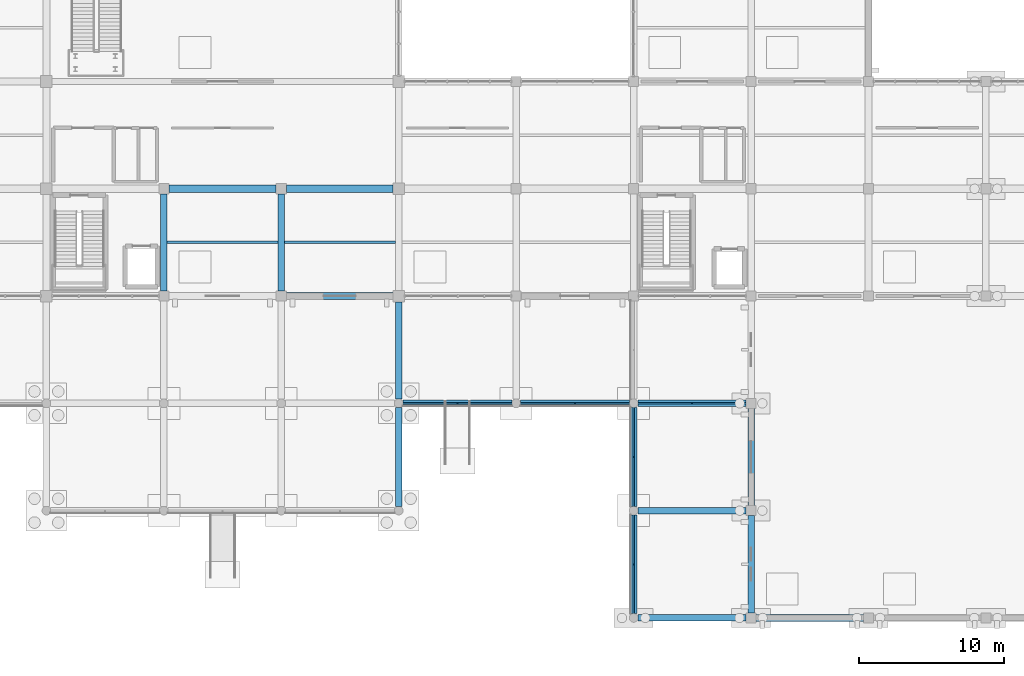
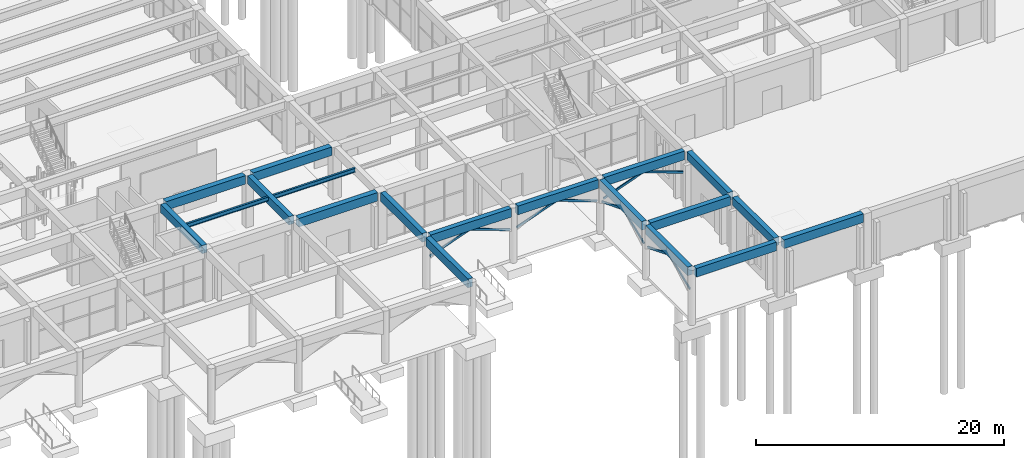
# One storey, part 32 of 140: 19 beams, 10 members.
"""IFC4 building model written with IfcOpenShell, lengths in metres."""

from ifc_helpers import new_model, si_unit, direction, frame, origin, origin_2d, place, context, subcontext, project, spatial, rectangle, hollow_rectangle, i_section, extrude, material, material_profile, profile_set, type_object, element, save


model = new_model("IFC4")

# Units and contexts
model_context = context("Model", 3, precision=1e-05, world=origin(), true_north=direction((0.0, 1.0)))
body_context = subcontext(model_context, "Body", "Model", "MODEL_VIEW")
ifc_project = project(units=[si_unit("LENGTHUNIT", "METRE"), si_unit("AREAUNIT", "SQUARE_METRE"), si_unit("VOLUMEUNIT", "CUBIC_METRE"), si_unit("PLANEANGLEUNIT", "RADIAN"), si_unit("MASSUNIT", "GRAM", prefix="KILO")], contexts=[model_context])

# Site, building, storey
site_placement = place(None, origin())
site = spatial("IfcSite", under=ifc_project, at=site_placement, CompositionType="ELEMENT")
building_placement = place(site_placement, origin())
building = spatial("IfcBuilding", under=site, at=building_placement, Name="Cimatlan Art Gallery", CompositionType="ELEMENT")
storey_placement = place(building_placement, origin())
storey = spatial("IfcBuildingStorey", under=building, at=storey_placement, Name="L00", CompositionType="ELEMENT", Elevation=0.0)

# Beams
ifc_material_1 = material(Name="Concrete C40/50", Category="concrete")
ifc_material_profile_1 = material_profile(ifc_material_1, rectangle(XDim=0.449951171875, YDim=0.85009765625, at=origin_2d()), Name="RC450X850")
ifc_profile_set_1 = profile_set([ifc_material_profile_1], Name="Concrete C40/50")
beam_type_1 = type_object("IfcBeamType", Name="BM-ARC-450X850", PredefinedType="SPANDREL", material=ifc_profile_set_1)
beam_1_placement = place(storey_placement, frame((99.199951171875, 9.39990234375, 4.735107421875), z_axis=(0.0, 1.0, 0.0), x_axis=(-1.0, 0.0, 0.0)))
element("IfcBeam", 1, at=beam_1_placement, inside=storey, type_object=beam_type_1, Name="BM-ARC-Y-12-01", PredefinedType="SPANDREL", context=body_context, shape_type="SweptSolid", body=[
    extrude(rectangle(XDim=0.449951171875, YDim=0.85009765625, at=origin_2d()), origin(), (0.0, 0.0, 1.0), 6.800048828125),
])
beam_2_placement = place(storey_placement, frame((99.5, 16.5, 4.735107421875), z_axis=(1.0, 0.0, 0.0), x_axis=(0.0, 1.0, 0.0)))
element("IfcBeam", 2, at=beam_2_placement, inside=storey, type_object=beam_type_1, Name="BM-ARC-X-12-02", PredefinedType="SPANDREL", context=body_context, shape_type="SweptSolid", body=[
    extrude(rectangle(XDim=0.449951171875, YDim=0.85009765625, at=origin_2d()), origin(), (0.0, 0.0, 1.0), 7.5),
])
beam_3_placement = place(storey_placement, frame((99.199951171875, 16.800048828125, 4.735107421875), z_axis=(0.0, 1.0, 0.0), x_axis=(-1.0, 0.0, 0.0)))
element("IfcBeam", 3, at=beam_3_placement, inside=storey, type_object=beam_type_1, Name="BM-ARC-Y-12-02", PredefinedType="SPANDREL", context=body_context, shape_type="SweptSolid", body=[
    extrude(rectangle(XDim=0.449951171875, YDim=0.85009765625, at=origin_2d()), origin(), (0.0, 0.0, 1.0), 6.699951171875),
])
beam_4_placement = place(storey_placement, frame((107.60009765625, 16.5, 4.735107421875), z_axis=(1.0, 0.0, 0.0), x_axis=(0.0, 1.0, 0.0)))
element("IfcBeam", 4, at=beam_4_placement, inside=storey, type_object=beam_type_1, Name="BM-ARC-X-13-02", PredefinedType="SPANDREL", context=body_context, shape_type="SweptSolid", body=[
    extrude(rectangle(XDim=0.449951171875, YDim=0.85009765625, at=origin_2d()), origin(), (0.0, 0.0, 1.0), 7.5),
])
beam_5_placement = place(storey_placement, frame((115.699951171875, 1.699951171875, 4.735107421875), z_axis=(1.0, 0.0, 0.0), x_axis=(0.0, 1.0, 0.0)))
element("IfcBeam", 5, at=beam_5_placement, inside=storey, type_object=beam_type_1, Name="BM-ARC-X-14-00", PredefinedType="SPANDREL", context=body_context, shape_type="SweptSolid", body=[
    extrude(rectangle(XDim=0.449951171875, YDim=0.85009765625, at=origin_2d()), origin(), (0.0, 0.0, 1.0), 7.449951171875),
])
beam_6_placement = place(storey_placement, frame((115.39990234375, 2.0, 4.735107421875), z_axis=(0.0, 1.0, 0.0), x_axis=(-1.0, 0.0, 0.0)))
element("IfcBeam", 6, at=beam_6_placement, inside=storey, type_object=beam_type_1, Name="BM-ARC-Y-14-00", PredefinedType="SPANDREL", context=body_context, shape_type="SweptSolid", body=[
    extrude(rectangle(XDim=0.449951171875, YDim=0.85009765625, at=origin_2d()), origin(), (0.0, 0.0, 1.0), 6.800048828125),
])
beam_7_placement = place(storey_placement, frame((115.699951171875, 9.10009765625, 4.735107421875), z_axis=(1.0, 0.0, 0.0), x_axis=(0.0, 1.0, 0.0)))
element("IfcBeam", 7, at=beam_7_placement, inside=storey, type_object=beam_type_1, Name="BM-ARC-X-14-01", PredefinedType="SPANDREL", context=body_context, shape_type="SweptSolid", body=[
    extrude(rectangle(XDim=0.449951171875, YDim=0.85009765625, at=origin_2d()), origin(), (0.0, 0.0, 1.0), 7.449951171875),
])
beam_8_placement = place(storey_placement, frame((115.39990234375, 9.39990234375, 4.735107421875), z_axis=(0.0, 1.0, 0.0), x_axis=(-1.0, 0.0, 0.0)))
element("IfcBeam", 8, at=beam_8_placement, inside=storey, type_object=beam_type_1, Name="BM-ARC-Y-14-01", PredefinedType="SPANDREL", context=body_context, shape_type="SweptSolid", body=[
    extrude(rectangle(XDim=0.449951171875, YDim=0.85009765625, at=origin_2d()), origin(), (0.0, 0.0, 1.0), 6.800048828125),
])
beam_9_placement = place(storey_placement, frame((115.699951171875, 16.5, 4.735107421875), z_axis=(1.0, 0.0, 0.0), x_axis=(0.0, 1.0, 0.0)))
element("IfcBeam", 9, at=beam_9_placement, inside=storey, type_object=beam_type_1, Name="BM-ARC-X-14-02", PredefinedType="SPANDREL", context=body_context, shape_type="SweptSolid", body=[
    extrude(rectangle(XDim=0.449951171875, YDim=0.85009765625, at=origin_2d()), origin(), (0.0, 0.0, 1.0), 7.449951171875),
])
ifc_material_profile_2 = material_profile(ifc_material_1, rectangle(XDim=0.449951171875, YDim=0.800048828125, at=origin_2d()), Name="RC450X800")
ifc_profile_set_2 = profile_set([ifc_material_profile_2], Name="Concrete C40/50")
beam_type_2 = type_object("IfcBeamType", Name="BM-RC-450X800", PredefinedType="BEAM", material=ifc_profile_set_2)
for number, where, z_axis, x_axis, name in (
    (10, (83.0, 24.25, 4.735107421875), (0.0, 1.0, 0.0), (-1.0, 0.0, 0.0), "BM-Y-L00-10-03"),
    (11, (91.10009765625, 24.25, 4.735107421875), (0.0, 1.0, 0.0), (-1.0, 0.0, 0.0), "BM-Y-L00-11-03"),
    (12, (123.5, 2.050048828125, 4.735107421875), (0.0, 1.0, 0.0), (-1.0, 0.0, 0.0), "BM-Y-L00-15-00"),
    (13, (123.5, 9.449951171875, 4.735107421875), (0.0, 1.0, 0.0), (-1.0, 0.0, 0.0), "BM-Y-L00-15-01"),
):
    element("IfcBeam", number, at=place(storey_placement, frame(where, z_axis=z_axis, x_axis=x_axis)), inside=storey, type_object=beam_type_2, Name=name, PredefinedType="BEAM", context=body_context, shape_type="SweptSolid", body=[
        extrude(rectangle(XDim=0.449951171875, YDim=0.800048828125, at=origin_2d()), origin(), (0.0, 0.0, 1.0), 6.699951171875),
    ])
ifc_material_profile_3 = material_profile(ifc_material_1, rectangle(XDim=0.5, YDim=0.85009765625, at=origin_2d()), Name="RC500X850")
ifc_profile_set_3 = profile_set([ifc_material_profile_3], Name="Concrete C40/50")
beam_type_3 = type_object("IfcBeamType", Name="BM-RC-500X850", PredefinedType="BEAM", material=ifc_profile_set_3)
beam_10_placement = place(storey_placement, frame((83.35009765625, 31.300048828125, 4.7099609375), z_axis=(1.0, 0.0, 0.0), x_axis=(0.0, 1.0, 0.0)))
element("IfcBeam", 14, at=beam_10_placement, inside=storey, type_object=beam_type_3, Name="BM-X-L00-10-04", PredefinedType="BEAM", context=body_context, shape_type="SweptSolid", body=[
    extrude(rectangle(XDim=0.5, YDim=0.85009765625, at=origin_2d()), origin(), (0.0, 0.0, 1.0), 7.39990234375),
])
for number, where, z_axis, x_axis, name in (
    (15, (91.449951171875, 23.89990234375, 4.7099609375), (1.0, 0.0, 0.0), (0.0, 1.0, 0.0), "BM-X-L00-11-03"),
    (16, (91.449951171875, 31.300048828125, 4.7099609375), (1.0, 0.0, 0.0), (0.0, 1.0, 0.0), "BM-X-L00-11-04"),
):
    element("IfcBeam", number, at=place(storey_placement, frame(where, z_axis=z_axis, x_axis=x_axis)), inside=storey, type_object=beam_type_3, Name=name, PredefinedType="BEAM", context=body_context, shape_type="SweptSolid", body=[
        extrude(rectangle(XDim=0.5, YDim=0.85009765625, at=origin_2d()), origin(), (0.0, 0.0, 1.0), 7.35009765625),
    ])
beam_11_placement = place(storey_placement, frame((123.85009765625, 1.699951171875, 4.7099609375), z_axis=(1.0, 0.0, 0.0), x_axis=(0.0, 1.0, 0.0)))
element("IfcBeam", 17, at=beam_11_placement, inside=storey, type_object=beam_type_3, Name="BM-X-L00-15-00", PredefinedType="BEAM", context=body_context, shape_type="SweptSolid", body=[
    extrude(rectangle(XDim=0.5, YDim=0.85009765625, at=origin_2d()), origin(), (0.0, 0.0, 1.0), 7.39990234375),
])
ifc_material_2 = material(Name="Steel ASTM A992 Grade 50", Category="steel")
ifc_material_profile_4 = material_profile(ifc_material_2, i_section(OverallWidth=0.177978515625, OverallDepth=0.406982421875, WebThickness=0.0078125, FlangeThickness=0.0126953125, at=origin_2d()), Name="W16X40")
ifc_profile_set_4 = profile_set([ifc_material_profile_4], Name="Steel ASTM A992 Grade 50")
beam_type_4 = type_object("IfcBeamType", Name="BM-STL-W16X40", PredefinedType="JOIST", material=ifc_profile_set_4)
beam_12_placement = place(storey_placement, frame((83.22509765625, 27.60009765625, 4.931396484375), z_axis=(1.0, 0.0, 0.0), x_axis=(0.0, 1.0, 0.0)))
element("IfcBeam", 18, at=beam_12_placement, inside=storey, type_object=beam_type_4, Name="JST-L00-10-03", PredefinedType="JOIST", context=body_context, shape_type="SweptSolid", body=[
    extrude(i_section(OverallWidth=0.177978515625, OverallDepth=0.406982421875, WebThickness=0.0078125, FlangeThickness=0.0126953125, at=origin_2d()), origin(), (0.0, 0.0, 1.0), 7.64990234375),
])
beam_13_placement = place(storey_placement, frame((91.324951171875, 27.60009765625, 4.931396484375), z_axis=(1.0, 0.0, 0.0), x_axis=(0.0, 1.0, 0.0)))
element("IfcBeam", 19, at=beam_13_placement, inside=storey, type_object=beam_type_4, Name="JST-L00-11-03", PredefinedType="JOIST", context=body_context, shape_type="SweptSolid", body=[
    extrude(i_section(OverallWidth=0.177978515625, OverallDepth=0.406982421875, WebThickness=0.0078125, FlangeThickness=0.0126953125, at=origin_2d()), origin(), (0.0, 0.0, 1.0), 7.650146484375),
])

# Members
ifc_material_3 = material(Name="Steel ASTM A500 Grade C", Category="steel")
ifc_material_profile_5 = material_profile(ifc_material_3, hollow_rectangle(XDim=0.10009765625, YDim=0.199951171875, WallThickness=0.008056640625, at=origin_2d()), Name="HSS200X100X8")
ifc_profile_set_5 = profile_set([ifc_material_profile_5], Name="Steel ASTM A500 Grade C")
member_type = type_object("IfcMemberType", Name="MBR-GOTH-RIB", PredefinedType="RAFTER", material=ifc_profile_set_5)
for number, where, z_axis, x_axis, name in (
    (20, (99.5, 16.5, 2.949951171875), (0.940077223302, 0.0, 0.34096160228), (0.0, 1.0, 0.0), "RIB-ARC-X-13L"),
    (21, (107.0, 16.5, 2.949951171875), (-0.940077223302, 0.0, 0.34096160228), (0.0, -1.0, 0.0), "RIB-ARC-X-13R"),
    (22, (107.60009765625, 16.5, 2.949951171875), (0.940077223302, 0.0, 0.34096160228), (0.0, 1.0, 0.0), "RIB-ARC-X-14L"),
    (23, (115.10009765625, 16.5, 2.949951171875), (-0.940077223302, 0.0, 0.34096160228), (0.0, -1.0, 0.0), "RIB-ARC-X-14R"),
):
    element("IfcMember", number, at=place(storey_placement, frame(where, z_axis=z_axis, x_axis=x_axis)), inside=storey, type_object=member_type, Name=name, PredefinedType="RAFTER", context=body_context, shape_type="SweptSolid", body=[
        extrude(hollow_rectangle(XDim=0.10009765625, YDim=0.199951171875, WallThickness=0.008056640625, at=origin_2d()), origin(), (0.0, 0.0, 1.0), 3.989013671875),
    ])
member_1_placement = place(storey_placement, frame((115.39990234375, 2.0, 2.949951171875), z_axis=(0.0, 0.928462896207, 0.371425161193), x_axis=(-1.0, 0.0, 0.0)))
element("IfcMember", 24, at=member_1_placement, inside=storey, type_object=member_type, Name="RIB-ARC-Y-15S", PredefinedType="RAFTER", context=body_context, shape_type="SweptSolid", body=[
    extrude(hollow_rectangle(XDim=0.10009765625, YDim=0.199951171875, WallThickness=0.008056640625, at=origin_2d()), origin(), (0.0, 0.0, 1.0), 3.661865234375),
])
for number, where, z_axis, x_axis, name in (
    (25, (115.39990234375, 8.800048828125, 2.949951171875), (0.0, -0.928472093086, 0.371402170646), (1.0, 0.0, 0.0), "RIB-ARC-Y-15N"),
    (26, (115.39990234375, 9.39990234375, 2.949951171875), (0.0, 0.928472093086, 0.371402170646), (-1.0, 0.0, 0.0), "RIB-ARC-Y-16S"),
):
    element("IfcMember", number, at=place(storey_placement, frame(where, z_axis=z_axis, x_axis=x_axis)), inside=storey, type_object=member_type, Name=name, PredefinedType="RAFTER", context=body_context, shape_type="SweptSolid", body=[
        extrude(hollow_rectangle(XDim=0.10009765625, YDim=0.199951171875, WallThickness=0.008056640625, at=origin_2d()), origin(), (0.0, 0.0, 1.0), 3.662109375),
    ])
member_2_placement = place(storey_placement, frame((115.39990234375, 16.199951171875, 2.949951171875), z_axis=(0.0, -0.928462896207, 0.371425161193), x_axis=(1.0, 0.0, 0.0)))
element("IfcMember", 27, at=member_2_placement, inside=storey, type_object=member_type, Name="RIB-ARC-Y-16N", PredefinedType="RAFTER", context=body_context, shape_type="SweptSolid", body=[
    extrude(hollow_rectangle(XDim=0.10009765625, YDim=0.199951171875, WallThickness=0.008056640625, at=origin_2d()), origin(), (0.0, 0.0, 1.0), 3.661865234375),
])
member_3_placement = place(storey_placement, frame((115.699951171875, 16.5, 2.949951171875), z_axis=(0.939345041984, 0.0, 0.342973602628), x_axis=(0.0, 1.0, 0.0)))
element("IfcMember", 28, at=member_3_placement, inside=storey, type_object=member_type, Name="RIB-ARC-X-17L", PredefinedType="RAFTER", context=body_context, shape_type="SweptSolid", body=[
    extrude(hollow_rectangle(XDim=0.10009765625, YDim=0.199951171875, WallThickness=0.008056640625, at=origin_2d()), origin(), (0.0, 0.0, 1.0), 3.965576171875),
])
member_4_placement = place(storey_placement, frame((123.14990234375, 16.5, 2.949951171875), z_axis=(-0.939337799516, 0.0, 0.342993437839), x_axis=(0.0, -1.0, 0.0)))
element("IfcMember", 29, at=member_4_placement, inside=storey, type_object=member_type, Name="RIB-ARC-X-17R", PredefinedType="RAFTER", context=body_context, shape_type="SweptSolid", body=[
    extrude(hollow_rectangle(XDim=0.10009765625, YDim=0.199951171875, WallThickness=0.008056640625, at=origin_2d()), origin(), (0.0, 0.0, 1.0), 3.96533203125),
])

save(model, "model.ifc")
